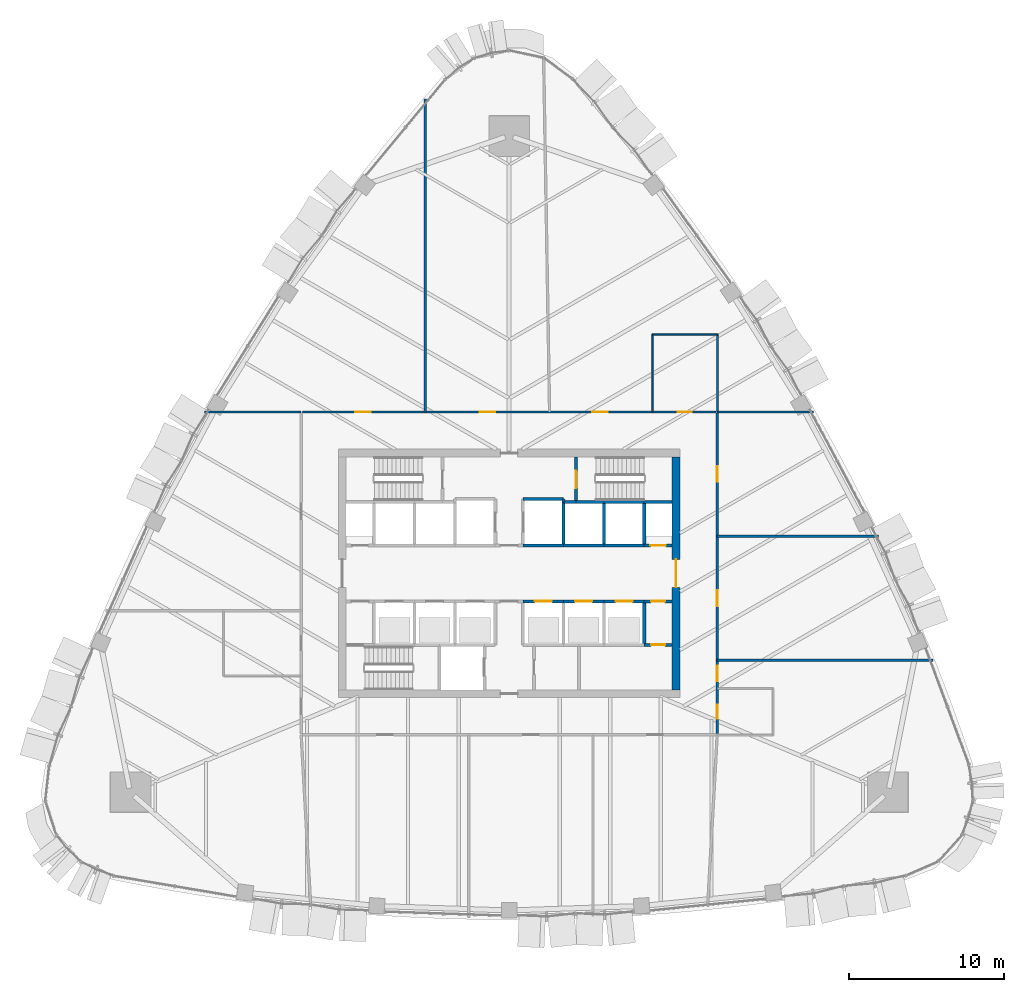
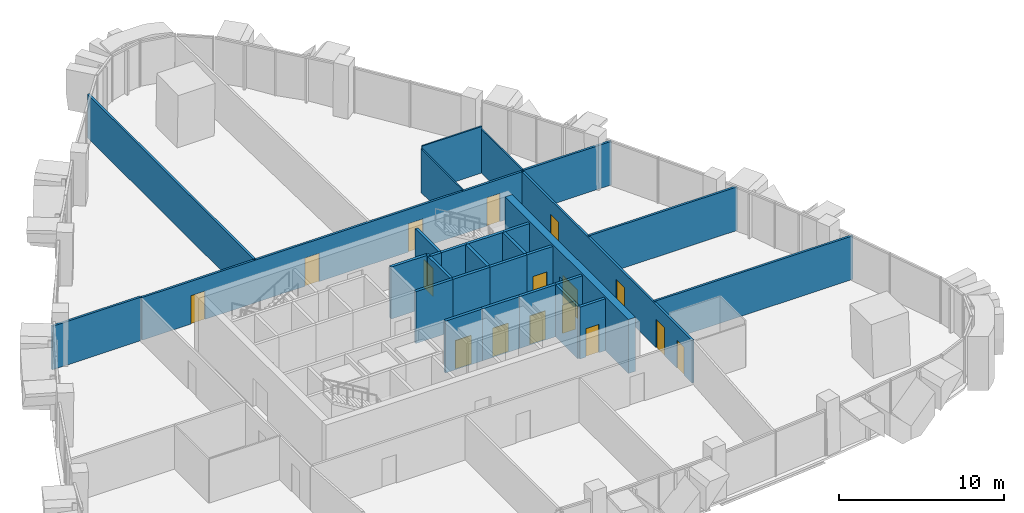
# One storey, part 12 of 17: 31 walls, 16 doors, 16 openings.
"""IFC4 building model written with IfcOpenShell, lengths in metres."""

from ifc_helpers import new_model, si_unit, direction, frame, frame_2d, origin, place, context, subcontext, project, spatial, rectangle, extrude, material, layer, layer_set, type_object, element, fill, save


model = new_model("IFC4")

# Units and contexts
model_context = context("Model", 3, precision=1e-05, world=origin(), true_north=direction((0.0, 1.0)))
body_context = subcontext(model_context, "Body", "Model", "MODEL_VIEW")
ifc_project = project(units=[si_unit("LENGTHUNIT", "METRE"), si_unit("AREAUNIT", "SQUARE_METRE"), si_unit("VOLUMEUNIT", "CUBIC_METRE"), si_unit("PLANEANGLEUNIT", "RADIAN"), si_unit("MASSUNIT", "GRAM", prefix="KILO")], contexts=[model_context])

# Site, building, storey
site_placement = place(None, origin())
site = spatial("IfcSite", under=ifc_project, at=site_placement, CompositionType="ELEMENT")
building_placement = place(site_placement, origin())
building = spatial("IfcBuilding", under=site, at=building_placement, Name="Sierra Prisma Convention Tower", CompositionType="ELEMENT")
storey_placement = place(building_placement, frame((0.0, 0.0, 149.800048828125)))
storey = spatial("IfcBuildingStorey", under=building, at=storey_placement, Name="L32", CompositionType="ELEMENT", Elevation=149.800048828125)

# Walls
ifc_material_1 = material(Name="Gypsum board partition", Category="gypsum")
ifc_layer_1 = layer(ifc_material_1, 0.10009765625)
ifc_layer_set_1 = layer_set([ifc_layer_1], Name="Bathroom partition 100")
wall_type_1 = type_object("IfcWallType", Name="Bathroom partition 100", PredefinedType="PARTITIONING", material=ifc_layer_set_1)
wall_1_placement = place(storey_placement, frame((9.219970703125, 10.429931640625, 0.0), z_axis=(0.0, 0.0, 1.0), x_axis=(0.0, 1.0, 0.0)))
element("IfcWall", 1, at=wall_1_placement, inside=storey, type_object=wall_type_1, Name="Partition L32 bath 3", PredefinedType="PARTITIONING", context=body_context, shape_type="SweptSolid", body=[
    extrude(rectangle(XDim=4.969970703125, YDim=0.10009765625, at=frame_2d((2.48486328125, 0.0))), origin(), (0.0, 0.0, 1.0), 3.2470703125),
])
wall_2_placement = place(storey_placement, frame((9.219970703125, 15.39990234375, 0.0), z_axis=(0.0, 0.0, 1.0), x_axis=(1.0, 0.0, 0.0)))
element("IfcWall", 2, at=wall_2_placement, inside=storey, type_object=wall_type_1, Name="Partition L32 bath 4", PredefinedType="PARTITIONING", context=body_context, shape_type="SweptSolid", body=[
    extrude(rectangle(XDim=4.199951171875, YDim=0.10009765625, at=frame_2d((2.10009765625, 0.0))), origin(), (0.0, 0.0, 1.0), 3.449951171875),
])
wall_3_placement = place(storey_placement, frame((13.419921875, 15.39990234375, 0.0), z_axis=(0.0, 0.0, 1.0), x_axis=(0.0, -1.0, 0.0)))
element("IfcWall", 3, at=wall_3_placement, inside=storey, type_object=wall_type_1, Name="Partition L32 bath 5", PredefinedType="PARTITIONING", context=body_context, shape_type="SweptSolid", body=[
    extrude(rectangle(XDim=4.969970703125, YDim=0.10009765625, at=frame_2d((2.48486328125, 0.0))), origin(), (0.0, 0.0, 1.0), 3.2470703125),
])

# Wall, opening, door
ifc_material_2 = material(Name="Concrete C30/37", Category="concrete")
ifc_layer_2 = layer(ifc_material_2, 0.199951171875)
ifc_layer_set_2 = layer_set([ifc_layer_2], Name="Core wall RC 200 C30/37")
wall_type_2 = type_object("IfcWallType", Name="Core wall RC 200 C30/37", PredefinedType="SOLIDWALL", material=ifc_layer_set_2)
wall_4_placement = place(storey_placement, frame((0.89990234375, -1.800048828125, 0.0), z_axis=(0.0, 0.0, 1.0), x_axis=(1.0, 0.0, 0.0)))
wall_4 = element("IfcWall", 4, at=wall_4_placement, inside=storey, type_object=wall_type_2, Name="Core wall L32 34", PredefinedType="SOLIDWALL", context=body_context, shape_type="SweptSolid", body=[
    extrude(rectangle(XDim=2.60009765625, YDim=0.199951171875, at=frame_2d((1.300048828125, 0.0))), origin(), (0.0, 0.0, 1.0), 3.849853515625),
])
opening_1_placement = place(wall_4_placement, frame((0.75, 0.0, 0.0)))
opening_1 = element("IfcOpeningElement", 5, at=opening_1_placement, cuts=wall_4, Name="Opening L32-D004", PredefinedType="OPENING", context=body_context, shape_type="SweptSolid", body=[
    extrude(rectangle(XDim=1.10009765625, YDim=2.10009765625, at=frame_2d((0.550048828125, 1.050048828125))), frame((0.0, 0.10009765625, 0.0), z_axis=(0.0, -1.0, 0.0), x_axis=(1.0, 0.0, 0.0)), (0.0, 0.0, 1.0), 0.199951171875),
])
ifc_material_3 = material(Name="Steel fire door leaf", Category="steel")
door_type_1 = type_object("IfcDoorType", Name="Door 1100x2100 EI 90 sliding lift landing", OperationType="SLIDING_TO_LEFT", PredefinedType="DOOR", material=ifc_material_3)
door_1_placement = place(opening_1_placement, origin())
door_1 = element("IfcDoor", 6, at=door_1_placement, inside=storey, type_object=door_type_1, Name="Door L32 18", OperationType="SLIDING_TO_LEFT", OverallHeight=2.10009765625, OverallWidth=1.10009765625, PredefinedType="DOOR", context=body_context, shape_type="SweptSolid", body=[
    extrude(rectangle(XDim=1.10009765625, YDim=2.10009765625, at=frame_2d((0.550048828125, 1.050048828125))), frame((0.0, 0.02490234375, 0.0), z_axis=(0.0, -1.0, 0.0), x_axis=(1.0, 0.0, 0.0)), (0.0, 0.0, 1.0), 0.050048828125),
])
fill(opening_1, door_1)

# Walls
wall_5_placement = place(storey_placement, frame((3.5, 1.800048828125, 0.0), z_axis=(0.0, 0.0, 1.0), x_axis=(-1.0, 0.0, 0.0)))
element("IfcWall", 7, at=wall_5_placement, inside=storey, type_object=wall_type_2, Name="Core wall L32 37", PredefinedType="SOLIDWALL", context=body_context, shape_type="SweptSolid", body=[
    extrude(rectangle(XDim=2.60009765625, YDim=0.199951171875, at=frame_2d((1.300048828125, 0.0))), origin(), (0.0, 0.0, 1.0), 3.849853515625),
])
wall_6_placement = place(storey_placement, frame((3.5, 4.60009765625, 0.0), z_axis=(0.0, 0.0, 1.0), x_axis=(0.0, 1.0, 0.0)))
element("IfcWall", 8, at=wall_6_placement, inside=storey, type_object=wall_type_2, Name="Core wall L32 38", PredefinedType="SOLIDWALL", context=body_context, shape_type="SweptSolid", body=[
    extrude(rectangle(XDim=0.199951171875, YDim=0.199951171875, at=frame_2d((0.10009765625, 0.0))), origin(), (0.0, 0.0, 1.0), 3.849853515625),
])
wall_7_placement = place(storey_placement, frame((3.5, 4.800048828125, 0.0), z_axis=(0.0, 0.0, 1.0), x_axis=(-1.0, 0.0, 0.0)))
element("IfcWall", 9, at=wall_7_placement, inside=storey, type_object=wall_type_2, Name="Core wall L32 39", PredefinedType="SOLIDWALL", context=body_context, shape_type="SweptSolid", body=[
    extrude(rectangle(XDim=2.60009765625, YDim=0.199951171875, at=frame_2d((1.300048828125, 0.0))), origin(), (0.0, 0.0, 1.0), 3.849853515625),
])

# Wall, opening, door
wall_8_placement = place(storey_placement, frame((3.5, -1.800048828125, 0.0), z_axis=(0.0, 0.0, 1.0), x_axis=(1.0, 0.0, 0.0)))
wall_8 = element("IfcWall", 10, at=wall_8_placement, inside=storey, type_object=wall_type_2, Name="Core wall L32 45", PredefinedType="SOLIDWALL", context=body_context, shape_type="SweptSolid", body=[
    extrude(rectangle(XDim=2.60009765625, YDim=0.199951171875, at=frame_2d((1.300048828125, 0.0))), origin(), (0.0, 0.0, 1.0), 3.849853515625),
])
opening_2_placement = place(wall_8_placement, frame((0.75, 0.0, 0.0)))
opening_2 = element("IfcOpeningElement", 11, at=opening_2_placement, cuts=wall_8, Name="Opening L32-D005", PredefinedType="OPENING", context=body_context, shape_type="SweptSolid", body=[
    extrude(rectangle(XDim=1.10009765625, YDim=2.10009765625, at=frame_2d((0.550048828125, 1.050048828125))), frame((0.0, 0.10009765625, 0.0), z_axis=(0.0, -1.0, 0.0), x_axis=(1.0, 0.0, 0.0)), (0.0, 0.0, 1.0), 0.199951171875),
])
door_2_placement = place(opening_2_placement, origin())
door_2 = element("IfcDoor", 12, at=door_2_placement, inside=storey, type_object=door_type_1, Name="Door L32 19", OperationType="SLIDING_TO_RIGHT", OverallHeight=2.10009765625, OverallWidth=1.10009765625, PredefinedType="DOOR", context=body_context, shape_type="SweptSolid", body=[
    extrude(rectangle(XDim=1.10009765625, YDim=2.10009765625, at=frame_2d((0.550048828125, 1.050048828125))), frame((0.0, 0.02490234375, 0.0), z_axis=(0.0, -1.0, 0.0), x_axis=(1.0, 0.0, 0.0)), (0.0, 0.0, 1.0), 0.050048828125),
])
fill(opening_2, door_2)

# Walls
wall_9_placement = place(storey_placement, frame((6.10009765625, 1.800048828125, 0.0), z_axis=(0.0, 0.0, 1.0), x_axis=(-1.0, 0.0, 0.0)))
element("IfcWall", 13, at=wall_9_placement, inside=storey, type_object=wall_type_2, Name="Core wall L32 46", PredefinedType="SOLIDWALL", context=body_context, shape_type="SweptSolid", body=[
    extrude(rectangle(XDim=2.60009765625, YDim=0.199951171875, at=frame_2d((1.300048828125, 0.0))), origin(), (0.0, 0.0, 1.0), 3.849853515625),
])
wall_10_placement = place(storey_placement, frame((3.5, 1.800048828125, 0.0), z_axis=(0.0, 0.0, 1.0), x_axis=(0.0, 1.0, 0.0)))
element("IfcWall", 14, at=wall_10_placement, inside=storey, type_object=wall_type_2, Name="Core wall L32 47", PredefinedType="SOLIDWALL", context=body_context, shape_type="SweptSolid", body=[
    extrude(rectangle(XDim=2.800048828125, YDim=0.199951171875, at=frame_2d((1.39990234375, 0.0))), origin(), (0.0, 0.0, 1.0), 3.849853515625),
])
wall_11_placement = place(storey_placement, frame((4.300048828125, 4.60009765625, 0.0), z_axis=(0.0, 0.0, 1.0), x_axis=(-1.0, 0.0, 0.0)))
element("IfcWall", 15, at=wall_11_placement, inside=storey, type_object=wall_type_2, Name="Core wall L32 48", PredefinedType="SOLIDWALL", context=body_context, shape_type="SweptSolid", body=[
    extrude(rectangle(XDim=0.800048828125, YDim=0.199951171875, at=frame_2d((0.39990234375, 0.0))), origin(), (0.0, 0.0, 1.0), 3.849853515625),
])
wall_12_placement = place(storey_placement, frame((6.10009765625, 4.60009765625, 0.0), z_axis=(0.0, 0.0, 1.0), x_axis=(-1.0, 0.0, 0.0)))
element("IfcWall", 16, at=wall_12_placement, inside=storey, type_object=wall_type_2, Name="Core wall L32 49", PredefinedType="SOLIDWALL", context=body_context, shape_type="SweptSolid", body=[
    extrude(rectangle(XDim=1.800048828125, YDim=0.199951171875, at=frame_2d((0.89990234375, 0.0))), origin(), (0.0, 0.0, 1.0), 3.849853515625),
])

# Wall, opening, door
wall_13_placement = place(storey_placement, frame((4.300048828125, 7.5, 0.0), z_axis=(0.0, 0.0, 1.0), x_axis=(0.0, -1.0, 0.0)))
wall_13 = element("IfcWall", 17, at=wall_13_placement, inside=storey, type_object=wall_type_2, Name="Core wall L32 50", PredefinedType="SOLIDWALL", context=body_context, shape_type="SweptSolid", body=[
    extrude(rectangle(XDim=2.89990234375, YDim=0.199951171875, at=frame_2d((1.449951171875, 0.0))), origin(), (0.0, 0.0, 1.0), 3.849853515625),
])
opening_3_placement = place(wall_13_placement, frame((0.89990234375, 0.0, 0.0)))
opening_3 = element("IfcOpeningElement", 18, at=opening_3_placement, cuts=wall_13, Name="Opening L32-D017", PredefinedType="OPENING", context=body_context, shape_type="SweptSolid", body=[
    extrude(rectangle(XDim=1.10009765625, YDim=2.10009765625, at=frame_2d((0.550048828125, 1.050048828125))), frame((0.0, 0.10009765625, 0.0), z_axis=(0.0, -1.0, 0.0), x_axis=(1.0, 0.0, 0.0)), (0.0, 0.0, 1.0), 0.199951171875),
])
ifc_material_4 = material(Name="Steel fire door leaf", Category="steel")
door_type_2 = type_object("IfcDoorType", Name="Door 1100x2100 FD90S", OperationType="SINGLE_SWING_LEFT", PredefinedType="DOOR", material=ifc_material_4)
door_3_placement = place(opening_3_placement, origin())
door_3 = element("IfcDoor", 19, at=door_3_placement, inside=storey, type_object=door_type_2, Name="Door L32 31", OperationType="SINGLE_SWING_RIGHT", OverallHeight=2.10009765625, OverallWidth=1.10009765625, PredefinedType="DOOR", context=body_context, shape_type="SweptSolid", body=[
    extrude(rectangle(XDim=1.10009765625, YDim=2.10009765625, at=frame_2d((0.550048828125, 1.050048828125))), frame((0.0, 0.02490234375, 0.0), z_axis=(0.0, -1.0, 0.0), x_axis=(1.0, 0.0, 0.0)), (0.0, 0.0, 1.0), 0.050048828125),
])
fill(opening_3, door_3)

wall_14_placement = place(storey_placement, frame((6.10009765625, -1.800048828125, 0.0), z_axis=(0.0, 0.0, 1.0), x_axis=(1.0, 0.0, 0.0)))
wall_14 = element("IfcWall", 20, at=wall_14_placement, inside=storey, type_object=wall_type_2, Name="Core wall L32 55", PredefinedType="SOLIDWALL", context=body_context, shape_type="SweptSolid", body=[
    extrude(rectangle(XDim=2.599853515625, YDim=0.199951171875, at=frame_2d((1.2998046875, 0.0))), origin(), (0.0, 0.0, 1.0), 3.849853515625),
])
opening_4_placement = place(wall_14_placement, frame((0.75, 0.0, 0.0)))
opening_4 = element("IfcOpeningElement", 21, at=opening_4_placement, cuts=wall_14, Name="Opening L32-D006", PredefinedType="OPENING", context=body_context, shape_type="SweptSolid", body=[
    extrude(rectangle(XDim=1.10009765625, YDim=2.10009765625, at=frame_2d((0.550048828125, 1.050048828125))), frame((0.0, 0.10009765625, 0.0), z_axis=(0.0, -1.0, 0.0), x_axis=(1.0, 0.0, 0.0)), (0.0, 0.0, 1.0), 0.199951171875),
])
door_4_placement = place(opening_4_placement, origin())
door_4 = element("IfcDoor", 22, at=door_4_placement, inside=storey, type_object=door_type_1, Name="Door L32 20", OperationType="SLIDING_TO_RIGHT", OverallHeight=2.10009765625, OverallWidth=1.10009765625, PredefinedType="DOOR", context=body_context, shape_type="SweptSolid", body=[
    extrude(rectangle(XDim=1.10009765625, YDim=2.10009765625, at=frame_2d((0.550048828125, 1.050048828125))), frame((0.0, 0.02490234375, 0.0), z_axis=(0.0, -1.0, 0.0), x_axis=(1.0, 0.0, 0.0)), (0.0, 0.0, 1.0), 0.050048828125),
])
fill(opening_4, door_4)

# Walls
wall_15_placement = place(storey_placement, frame((8.699951171875, 1.800048828125, 0.0), z_axis=(0.0, 0.0, 1.0), x_axis=(-1.0, 0.0, 0.0)))
element("IfcWall", 23, at=wall_15_placement, inside=storey, type_object=wall_type_2, Name="Core wall L32 56", PredefinedType="SOLIDWALL", context=body_context, shape_type="SweptSolid", body=[
    extrude(rectangle(XDim=2.599853515625, YDim=0.199951171875, at=frame_2d((1.2998046875, 0.0))), origin(), (0.0, 0.0, 1.0), 3.849853515625),
])
wall_16_placement = place(storey_placement, frame((6.10009765625, 1.800048828125, 0.0), z_axis=(0.0, 0.0, 1.0), x_axis=(0.0, 1.0, 0.0)))
element("IfcWall", 24, at=wall_16_placement, inside=storey, type_object=wall_type_2, Name="Core wall L32 57", PredefinedType="SOLIDWALL", context=body_context, shape_type="SweptSolid", body=[
    extrude(rectangle(XDim=2.800048828125, YDim=0.199951171875, at=frame_2d((1.39990234375, 0.0))), origin(), (0.0, 0.0, 1.0), 3.849853515625),
])
wall_17_placement = place(storey_placement, frame((8.699951171875, 4.60009765625, 0.0), z_axis=(0.0, 0.0, 1.0), x_axis=(-1.0, 0.0, 0.0)))
element("IfcWall", 25, at=wall_17_placement, inside=storey, type_object=wall_type_2, Name="Core wall L32 58", PredefinedType="SOLIDWALL", context=body_context, shape_type="SweptSolid", body=[
    extrude(rectangle(XDim=2.599853515625, YDim=0.199951171875, at=frame_2d((1.2998046875, 0.0))), origin(), (0.0, 0.0, 1.0), 3.849853515625),
])

# Wall, opening, door
wall_18_placement = place(storey_placement, frame((10.5, -4.60009765625, 0.0), z_axis=(0.0, 0.0, 1.0), x_axis=(-1.0, 0.0, 0.0)))
wall_18 = element("IfcWall", 26, at=wall_18_placement, inside=storey, type_object=wall_type_2, Name="Core wall L32 59", PredefinedType="SOLIDWALL", context=body_context, shape_type="SweptSolid", body=[
    extrude(rectangle(XDim=1.800048828125, YDim=0.199951171875, at=frame_2d((0.89990234375, 0.0))), origin(), (0.0, 0.0, 1.0), 3.849853515625),
])
opening_5_placement = place(wall_18_placement, frame((0.4599609375, 0.0, 0.0)))
opening_5 = element("IfcOpeningElement", 27, at=opening_5_placement, cuts=wall_18, Name="Opening L32-D018", PredefinedType="OPENING", context=body_context, shape_type="SweptSolid", body=[
    extrude(rectangle(XDim=0.89990234375, YDim=2.10009765625, at=frame_2d((0.449951171875, 1.050048828125))), frame((0.0, 0.10009765625, 0.0), z_axis=(0.0, -1.0, 0.0), x_axis=(1.0, 0.0, 0.0)), (0.0, 0.0, 1.0), 0.199951171875),
])
ifc_material_5 = material(Name="Steel fire door leaf", Category="steel")
door_type_3 = type_object("IfcDoorType", Name="Door 900x2100 FD30S", OperationType="SINGLE_SWING_LEFT", PredefinedType="DOOR", material=ifc_material_5)
door_5_placement = place(opening_5_placement, origin())
door_5 = element("IfcDoor", 28, at=door_5_placement, inside=storey, type_object=door_type_3, Name="Door L32 32", OperationType="SINGLE_SWING_LEFT", OverallHeight=2.10009765625, OverallWidth=0.89990234375, PredefinedType="DOOR", context=body_context, shape_type="SweptSolid", body=[
    extrude(rectangle(XDim=0.89990234375, YDim=2.10009765625, at=frame_2d((0.449951171875, 1.050048828125))), frame((0.0, 0.02490234375, 0.0), z_axis=(0.0, -1.0, 0.0), x_axis=(1.0, 0.0, 0.0)), (0.0, 0.0, 1.0), 0.050048828125),
])
fill(opening_5, door_5)

# Wall
wall_19_placement = place(storey_placement, frame((8.699951171875, -1.800048828125, 0.0), z_axis=(0.0, 0.0, 1.0), x_axis=(0.0, -1.0, 0.0)))
element("IfcWall", 29, at=wall_19_placement, inside=storey, type_object=wall_type_2, Name="Core wall L32 60", PredefinedType="SOLIDWALL", context=body_context, shape_type="SweptSolid", body=[
    extrude(rectangle(XDim=2.800048828125, YDim=0.199951171875, at=frame_2d((1.39990234375, 0.0))), origin(), (0.0, 0.0, 1.0), 3.849853515625),
])

# Wall, opening, door
wall_20_placement = place(storey_placement, frame((8.699951171875, -1.800048828125, 0.0), z_axis=(0.0, 0.0, 1.0), x_axis=(1.0, 0.0, 0.0)))
wall_20 = element("IfcWall", 30, at=wall_20_placement, inside=storey, type_object=wall_type_2, Name="Core wall L32 61", PredefinedType="SOLIDWALL", context=body_context, shape_type="SweptSolid", body=[
    extrude(rectangle(XDim=1.800048828125, YDim=0.199951171875, at=frame_2d((0.89990234375, 0.0))), origin(), (0.0, 0.0, 1.0), 3.849853515625),
])
opening_6_placement = place(wall_20_placement, frame((0.449951171875, 0.0, 0.0)))
opening_6 = element("IfcOpeningElement", 31, at=opening_6_placement, cuts=wall_20, Name="Opening L32-D019", PredefinedType="OPENING", context=body_context, shape_type="SweptSolid", body=[
    extrude(rectangle(XDim=0.89990234375, YDim=2.10009765625, at=frame_2d((0.449951171875, 1.050048828125))), frame((0.0, 0.10009765625, 0.0), z_axis=(0.0, -1.0, 0.0), x_axis=(1.0, 0.0, 0.0)), (0.0, 0.0, 1.0), 0.199951171875),
])
door_6_placement = place(opening_6_placement, origin())
door_6 = element("IfcDoor", 32, at=door_6_placement, inside=storey, type_object=door_type_3, Name="Door L32 33", OperationType="SINGLE_SWING_LEFT", OverallHeight=2.10009765625, OverallWidth=0.89990234375, PredefinedType="DOOR", context=body_context, shape_type="SweptSolid", body=[
    extrude(rectangle(XDim=0.89990234375, YDim=2.10009765625, at=frame_2d((0.449951171875, 1.050048828125))), frame((0.0, 0.02490234375, 0.0), z_axis=(0.0, -1.0, 0.0), x_axis=(1.0, 0.0, 0.0)), (0.0, 0.0, 1.0), 0.050048828125),
])
fill(opening_6, door_6)

wall_21_placement = place(storey_placement, frame((10.5, 1.800048828125, 0.0), z_axis=(0.0, 0.0, 1.0), x_axis=(-1.0, 0.0, 0.0)))
wall_21 = element("IfcWall", 33, at=wall_21_placement, inside=storey, type_object=wall_type_2, Name="Core wall L32 62", PredefinedType="SOLIDWALL", context=body_context, shape_type="SweptSolid", body=[
    extrude(rectangle(XDim=1.800048828125, YDim=0.199951171875, at=frame_2d((0.89990234375, 0.0))), origin(), (0.0, 0.0, 1.0), 3.849853515625),
])
opening_7_placement = place(wall_21_placement, frame((0.39990234375, 0.0, 0.0)))
opening_7 = element("IfcOpeningElement", 34, at=opening_7_placement, cuts=wall_21, Name="Opening L32-D014", PredefinedType="OPENING", context=body_context, shape_type="SweptSolid", body=[
    extrude(rectangle(XDim=1.0, YDim=2.10009765625, at=frame_2d((0.5, 1.050048828125))), frame((0.0, 0.10009765625, 0.0), z_axis=(0.0, -1.0, 0.0), x_axis=(1.0, 0.0, 0.0)), (0.0, 0.0, 1.0), 0.199951171875),
])
ifc_material_6 = material(Name="Steel fire door leaf", Category="steel")
door_type_4 = type_object("IfcDoorType", Name="Door 1000x2100 FD60S", OperationType="SINGLE_SWING_LEFT", PredefinedType="DOOR", material=ifc_material_6)
door_7_placement = place(opening_7_placement, origin())
door_7 = element("IfcDoor", 35, at=door_7_placement, inside=storey, type_object=door_type_4, Name="Door L32 28", OperationType="SINGLE_SWING_LEFT", OverallHeight=2.10009765625, OverallWidth=1.0, PredefinedType="DOOR", context=body_context, shape_type="SweptSolid", body=[
    extrude(rectangle(XDim=1.0, YDim=2.10009765625, at=frame_2d((0.5, 1.050048828125))), frame((0.0, 0.02490234375, 0.0), z_axis=(0.0, -1.0, 0.0), x_axis=(1.0, 0.0, 0.0)), (0.0, 0.0, 1.0), 0.050048828125),
])
fill(opening_7, door_7)

# Walls
wall_22_placement = place(storey_placement, frame((8.699951171875, 4.60009765625, 0.0), z_axis=(0.0, 0.0, 1.0), x_axis=(0.0, -1.0, 0.0)))
element("IfcWall", 36, at=wall_22_placement, inside=storey, type_object=wall_type_2, Name="Core wall L32 63", PredefinedType="SOLIDWALL", context=body_context, shape_type="SweptSolid", body=[
    extrude(rectangle(XDim=2.800048828125, YDim=0.199951171875, at=frame_2d((1.39990234375, 0.0))), origin(), (0.0, 0.0, 1.0), 3.849853515625),
])
wall_23_placement = place(storey_placement, frame((10.5, 4.60009765625, 0.0), z_axis=(0.0, 0.0, 1.0), x_axis=(-1.0, 0.0, 0.0)))
element("IfcWall", 37, at=wall_23_placement, inside=storey, type_object=wall_type_2, Name="Core wall L32 64", PredefinedType="SOLIDWALL", context=body_context, shape_type="SweptSolid", body=[
    extrude(rectangle(XDim=1.800048828125, YDim=0.199951171875, at=frame_2d((0.89990234375, 0.0))), origin(), (0.0, 0.0, 1.0), 3.849853515625),
])

# Wall, opening, door
ifc_material_7 = material(Name="Concrete C60/75", Category="concrete")
ifc_layer_3 = layer(ifc_material_7, 0.5)
ifc_layer_set_3 = layer_set([ifc_layer_3], Name="Core wall RC 500 C60/75")
wall_type_3 = type_object("IfcWallType", Name="Core wall RC 500 C60/75", PredefinedType="SHEAR", material=ifc_layer_set_3)
wall_24_placement = place(storey_placement, frame((10.75, -7.5, 0.0), z_axis=(0.0, 0.0, 1.0), x_axis=(0.0, 1.0, 0.0)))
wall_24 = element("IfcWall", 38, at=wall_24_placement, inside=storey, type_object=wall_type_3, Name="Core wall E L32", PredefinedType="SHEAR", context=body_context, shape_type="SweptSolid", body=[
    extrude(rectangle(XDim=15.0, YDim=0.5, at=frame_2d((7.5, 0.0))), origin(), (0.0, 0.0, 1.0), 4.0),
])
opening_8_placement = place(wall_24_placement, frame((6.60009765625, 0.0, 0.0)))
opening_8 = element("IfcOpeningElement", 39, at=opening_8_placement, cuts=wall_24, Name="Opening L32-D035", PredefinedType="OPENING", context=body_context, shape_type="SweptSolid", body=[
    extrude(rectangle(XDim=1.800048828125, YDim=2.10009765625, at=frame_2d((0.89990234375, 1.050048828125))), frame((0.0, 0.25, 0.0), z_axis=(0.0, -1.0, 0.0), x_axis=(1.0, 0.0, 0.0)), (0.0, 0.0, 1.0), 0.5),
])
ifc_material_8 = material(Name="Steel fire door leaf", Category="steel")
door_type_5 = type_object("IfcDoorType", Name="Door 1800x2100 FD60S", OperationType="DOUBLE_DOOR_SINGLE_SWING", PredefinedType="DOOR", material=ifc_material_8)
door_8_placement = place(opening_8_placement, origin())
door_8 = element("IfcDoor", 40, at=door_8_placement, inside=storey, type_object=door_type_5, Name="Door L32 36", OperationType="DOUBLE_DOOR_SINGLE_SWING", OverallHeight=2.10009765625, OverallWidth=1.800048828125, PredefinedType="DOOR", context=body_context, shape_type="SweptSolid", body=[
    extrude(rectangle(XDim=1.800048828125, YDim=2.10009765625, at=frame_2d((0.89990234375, 1.050048828125))), frame((0.0, 0.02490234375, 0.0), z_axis=(0.0, -1.0, 0.0), x_axis=(1.0, 0.0, 0.0)), (0.0, 0.0, 1.0), 0.050048828125),
])
fill(opening_8, door_8)

# Wall, openings, doors
ifc_material_9 = material(Name="Gypsum board partition", Category="gypsum")
ifc_layer_4 = layer(ifc_material_9, 0.14990234375)
ifc_layer_set_4 = layer_set([ifc_layer_4], Name="Corridor wall 150 gypsum EI 60")
wall_type_4 = type_object("IfcWallType", Name="Corridor wall 150 gypsum EI 60", PredefinedType="PARTITIONING", material=ifc_layer_set_4)
wall_25_placement = place(storey_placement, frame((13.320068359375, 10.39990234375, 0.0), z_axis=(0.0, 0.0, 1.0), x_axis=(-1.0, 0.0, 0.0)))
wall_25 = element("IfcWall", 41, at=wall_25_placement, inside=storey, type_object=wall_type_4, Name="Partition L32 corr 3", PredefinedType="PARTITIONING", context=body_context, shape_type="SweptSolid", body=[
    extrude(rectangle(XDim=26.64013671875, YDim=0.14990234375, at=frame_2d((13.320068359375, 0.0))), origin(), (0.0, 0.0, 1.0), 3.166015625),
])
opening_9_placement = place(wall_25_placement, frame((1.550048828125, 0.0, 0.0)))
opening_9 = element("IfcOpeningElement", 42, at=opening_9_placement, cuts=wall_25, Name="Opening L32-D022", PredefinedType="OPENING", context=body_context, shape_type="SweptSolid", body=[
    extrude(rectangle(XDim=0.89990234375, YDim=2.10009765625, at=frame_2d((0.449951171875, 1.050048828125))), frame((0.0, 0.074951171875, 0.0), z_axis=(0.0, -1.0, 0.0), x_axis=(1.0, 0.0, 0.0)), (0.0, 0.0, 1.0), 0.14990234375),
])
opening_10_placement = place(wall_25_placement, frame((6.9599609375, 0.0, 0.0)))
opening_10 = element("IfcOpeningElement", 43, at=opening_10_placement, cuts=wall_25, Name="Opening L32-D023", PredefinedType="OPENING", context=body_context, shape_type="SweptSolid", body=[
    extrude(rectangle(XDim=1.0, YDim=2.10009765625, at=frame_2d((0.5, 1.050048828125))), frame((0.0, 0.074951171875, 0.0), z_axis=(0.0, -1.0, 0.0), x_axis=(1.0, 0.0, 0.0)), (0.0, 0.0, 1.0), 0.14990234375),
])
opening_11_placement = place(wall_25_placement, frame((14.219970703125, 0.0, 0.0)))
opening_11 = element("IfcOpeningElement", 44, at=opening_11_placement, cuts=wall_25, Name="Opening L32-D024", PredefinedType="OPENING", context=body_context, shape_type="SweptSolid", body=[
    extrude(rectangle(XDim=1.0, YDim=2.10009765625, at=frame_2d((0.5, 1.050048828125))), frame((0.0, 0.074951171875, 0.0), z_axis=(0.0, -1.0, 0.0), x_axis=(1.0, 0.0, 0.0)), (0.0, 0.0, 1.0), 0.14990234375),
])
opening_12_placement = place(wall_25_placement, frame((22.22998046875, 0.0, 0.0)))
opening_12 = element("IfcOpeningElement", 45, at=opening_12_placement, cuts=wall_25, Name="Opening L32-D025", PredefinedType="OPENING", context=body_context, shape_type="SweptSolid", body=[
    extrude(rectangle(XDim=1.0, YDim=2.10009765625, at=frame_2d((0.5, 1.050048828125))), frame((0.0, 0.074951171875, 0.0), z_axis=(0.0, -1.0, 0.0), x_axis=(1.0, 0.0, 0.0)), (0.0, 0.0, 1.0), 0.14990234375),
])
ifc_material_10 = material(Name="Steel fire door leaf", Category="steel")
door_type_6 = type_object("IfcDoorType", Name="Door 1000x2100 FD30S", OperationType="SINGLE_SWING_LEFT", PredefinedType="DOOR", material=ifc_material_10)
door_9_placement = place(opening_10_placement, origin())
door_9 = element("IfcDoor", 46, at=door_9_placement, inside=storey, type_object=door_type_6, Name="Door L32 3", OperationType="SINGLE_SWING_RIGHT", OverallHeight=2.10009765625, OverallWidth=1.0, PredefinedType="DOOR", context=body_context, shape_type="SweptSolid", body=[
    extrude(rectangle(XDim=1.0, YDim=2.10009765625, at=frame_2d((0.5, 1.050048828125))), frame((0.0, 0.02490234375, 0.0), z_axis=(0.0, -1.0, 0.0), x_axis=(1.0, 0.0, 0.0)), (0.0, 0.0, 1.0), 0.050048828125),
])
fill(opening_10, door_9)
door_10_placement = place(opening_11_placement, origin())
door_10 = element("IfcDoor", 47, at=door_10_placement, inside=storey, type_object=door_type_6, Name="Door L32 4", OperationType="SINGLE_SWING_LEFT", OverallHeight=2.10009765625, OverallWidth=1.0, PredefinedType="DOOR", context=body_context, shape_type="SweptSolid", body=[
    extrude(rectangle(XDim=1.0, YDim=2.10009765625, at=frame_2d((0.5, 1.050048828125))), frame((0.0, 0.02490234375, 0.0), z_axis=(0.0, -1.0, 0.0), x_axis=(1.0, 0.0, 0.0)), (0.0, 0.0, 1.0), 0.050048828125),
])
fill(opening_11, door_10)
door_11_placement = place(opening_12_placement, origin())
door_11 = element("IfcDoor", 48, at=door_11_placement, inside=storey, type_object=door_type_6, Name="Door L32 5", OperationType="SINGLE_SWING_RIGHT", OverallHeight=2.10009765625, OverallWidth=1.0, PredefinedType="DOOR", context=body_context, shape_type="SweptSolid", body=[
    extrude(rectangle(XDim=1.0, YDim=2.10009765625, at=frame_2d((0.5, 1.050048828125))), frame((0.0, 0.02490234375, 0.0), z_axis=(0.0, -1.0, 0.0), x_axis=(1.0, 0.0, 0.0)), (0.0, 0.0, 1.0), 0.050048828125),
])
fill(opening_12, door_11)
door_12_placement = place(opening_9_placement, origin())
door_12 = element("IfcDoor", 49, at=door_12_placement, inside=storey, type_object=door_type_3, Name="Door L32 2", OperationType="SINGLE_SWING_RIGHT", OverallHeight=2.10009765625, OverallWidth=0.89990234375, PredefinedType="DOOR", context=body_context, shape_type="SweptSolid", body=[
    extrude(rectangle(XDim=0.89990234375, YDim=2.10009765625, at=frame_2d((0.449951171875, 1.050048828125))), frame((0.0, 0.02490234375, 0.0), z_axis=(0.0, -1.0, 0.0), x_axis=(1.0, 0.0, 0.0)), (0.0, 0.0, 1.0), 0.050048828125),
])
fill(opening_9, door_12)

wall_26_placement = place(storey_placement, frame((13.39990234375, -10.320068359375, 0.0), z_axis=(0.0, 0.0, 1.0), x_axis=(0.0, 1.0, 0.0)))
wall_26 = element("IfcWall", 50, at=wall_26_placement, inside=storey, type_object=wall_type_4, Name="Partition L32 corr 4", PredefinedType="PARTITIONING", context=body_context, shape_type="SweptSolid", body=[
    extrude(rectangle(XDim=20.64013671875, YDim=0.14990234375, at=frame_2d((10.320068359375, 0.0))), origin(), (0.0, 0.0, 1.0), 3.166015625),
])
opening_13_placement = place(wall_26_placement, frame((16.219970703125, 0.0, 0.0)))
opening_13 = element("IfcOpeningElement", 51, at=opening_13_placement, cuts=wall_26, Name="Opening L32-D021", PredefinedType="OPENING", context=body_context, shape_type="SweptSolid", body=[
    extrude(rectangle(XDim=1.0, YDim=2.10009765625, at=frame_2d((0.5, 1.050048828125))), frame((0.0, 0.074951171875, 0.0), z_axis=(0.0, -1.0, 0.0), x_axis=(1.0, 0.0, 0.0)), (0.0, 0.0, 1.0), 0.14990234375),
])
opening_14_placement = place(wall_26_placement, frame((0.949951171875, 0.0, 0.0)))
opening_14 = element("IfcOpeningElement", 52, at=opening_14_placement, cuts=wall_26, Name="Opening L32-D032", PredefinedType="OPENING", context=body_context, shape_type="SweptSolid", body=[
    extrude(rectangle(XDim=0.89990234375, YDim=2.10009765625, at=frame_2d((0.449951171875, 1.050048828125))), frame((0.0, 0.074951171875, 0.0), z_axis=(0.0, -1.0, 0.0), x_axis=(1.0, 0.0, 0.0)), (0.0, 0.0, 1.0), 0.14990234375),
])
opening_15_placement = place(wall_26_placement, frame((3.360107421875, 0.0, 0.0)))
opening_15 = element("IfcOpeningElement", 53, at=opening_15_placement, cuts=wall_26, Name="Opening L32-D033", PredefinedType="OPENING", context=body_context, shape_type="SweptSolid", body=[
    extrude(rectangle(XDim=1.0, YDim=2.10009765625, at=frame_2d((0.5, 1.050048828125))), frame((0.0, 0.074951171875, 0.0), z_axis=(0.0, -1.0, 0.0), x_axis=(1.0, 0.0, 0.0)), (0.0, 0.0, 1.0), 0.14990234375),
])
opening_16_placement = place(wall_26_placement, frame((8.219970703125, 0.0, 0.0)))
opening_16 = element("IfcOpeningElement", 54, at=opening_16_placement, cuts=wall_26, Name="Opening L32-D034", PredefinedType="OPENING", context=body_context, shape_type="SweptSolid", body=[
    extrude(rectangle(XDim=1.0, YDim=2.10009765625, at=frame_2d((0.5, 1.050048828125))), frame((0.0, 0.074951171875, 0.0), z_axis=(0.0, -1.0, 0.0), x_axis=(1.0, 0.0, 0.0)), (0.0, 0.0, 1.0), 0.14990234375),
])
door_13_placement = place(opening_13_placement, origin())
door_13 = element("IfcDoor", 55, at=door_13_placement, inside=storey, type_object=door_type_6, Name="Door L32 1", OperationType="SINGLE_SWING_LEFT", OverallHeight=2.10009765625, OverallWidth=1.0, PredefinedType="DOOR", context=body_context, shape_type="SweptSolid", body=[
    extrude(rectangle(XDim=1.0, YDim=2.10009765625, at=frame_2d((0.5, 1.050048828125))), frame((0.0, 0.02490234375, 0.0), z_axis=(0.0, -1.0, 0.0), x_axis=(1.0, 0.0, 0.0)), (0.0, 0.0, 1.0), 0.050048828125),
])
fill(opening_13, door_13)
door_14_placement = place(opening_15_placement, origin())
door_14 = element("IfcDoor", 56, at=door_14_placement, inside=storey, type_object=door_type_6, Name="Door L32 13", OperationType="SINGLE_SWING_RIGHT", OverallHeight=2.10009765625, OverallWidth=1.0, PredefinedType="DOOR", context=body_context, shape_type="SweptSolid", body=[
    extrude(rectangle(XDim=1.0, YDim=2.10009765625, at=frame_2d((0.5, 1.050048828125))), frame((0.0, 0.02490234375, 0.0), z_axis=(0.0, -1.0, 0.0), x_axis=(1.0, 0.0, 0.0)), (0.0, 0.0, 1.0), 0.050048828125),
])
fill(opening_15, door_14)
door_15_placement = place(opening_16_placement, origin())
door_15 = element("IfcDoor", 57, at=door_15_placement, inside=storey, type_object=door_type_6, Name="Door L32 14", OperationType="SINGLE_SWING_LEFT", OverallHeight=2.10009765625, OverallWidth=1.0, PredefinedType="DOOR", context=body_context, shape_type="SweptSolid", body=[
    extrude(rectangle(XDim=1.0, YDim=2.10009765625, at=frame_2d((0.5, 1.050048828125))), frame((0.0, 0.02490234375, 0.0), z_axis=(0.0, -1.0, 0.0), x_axis=(1.0, 0.0, 0.0)), (0.0, 0.0, 1.0), 0.050048828125),
])
fill(opening_16, door_15)
door_16_placement = place(opening_14_placement, origin())
door_16 = element("IfcDoor", 58, at=door_16_placement, inside=storey, type_object=door_type_3, Name="Door L32 12", OperationType="SINGLE_SWING_RIGHT", OverallHeight=2.10009765625, OverallWidth=0.89990234375, PredefinedType="DOOR", context=body_context, shape_type="SweptSolid", body=[
    extrude(rectangle(XDim=0.89990234375, YDim=2.10009765625, at=frame_2d((0.449951171875, 1.050048828125))), frame((0.0, 0.02490234375, 0.0), z_axis=(0.0, -1.0, 0.0), x_axis=(1.0, 0.0, 0.0)), (0.0, 0.0, 1.0), 0.050048828125),
])
fill(opening_14, door_16)

# Walls
ifc_material_11 = material(Name="Gypsum board partition", Category="gypsum")
ifc_layer_5 = layer(ifc_material_11, 0.14990234375)
ifc_layer_set_5 = layer_set([ifc_layer_5], Name="Party wall 150 gypsum")
wall_type_5 = type_object("IfcWallType", Name="Party wall 150 gypsum", PredefinedType="PARTITIONING", material=ifc_layer_set_5)
wall_27_placement = place(storey_placement, frame((-13.39990234375, 10.39990234375, 0.0), z_axis=(0.0, 0.0, 1.0), x_axis=(-1.0, 0.0, 0.0)))
element("IfcWall", 59, at=wall_27_placement, inside=storey, type_object=wall_type_5, Name="Partition L32 party 2", PredefinedType="PARTITIONING", context=body_context, shape_type="SweptSolid", body=[
    extrude(rectangle(XDim=6.212890625, YDim=0.14990234375, at=frame_2d((3.1064453125, 0.0))), origin(), (0.0, 0.0, 1.0), 3.23388671875),
])
wall_28_placement = place(storey_placement, frame((-5.39990234375, 10.39990234375, 0.0), z_axis=(0.0, 0.0, 1.0), x_axis=(0.0, 1.0, 0.0)))
element("IfcWall", 60, at=wall_28_placement, inside=storey, type_object=wall_type_5, Name="Partition L32 party 4", PredefinedType="PARTITIONING", context=body_context, shape_type="SweptSolid", body=[
    extrude(rectangle(XDim=20.162109375, YDim=0.14990234375, at=frame_2d((10.0810546875, 0.0))), origin(), (0.0, 0.0, 1.0), 3.23388671875),
])
wall_29_placement = place(storey_placement, frame((13.39990234375, -5.60009765625, 0.0), z_axis=(0.0, 0.0, 1.0), x_axis=(1.0, 0.0, 0.0)))
element("IfcWall", 61, at=wall_29_placement, inside=storey, type_object=wall_type_5, Name="Partition L32 party 9", PredefinedType="PARTITIONING", context=body_context, shape_type="SweptSolid", body=[
    extrude(rectangle(XDim=13.897216796875, YDim=0.14990234375, at=frame_2d((6.94873046875, 0.0))), origin(), (0.0, 0.0, 1.0), 3.23388671875),
])
wall_30_placement = place(storey_placement, frame((23.80126953125, 2.39990234375, 0.0), z_axis=(0.0, 0.0, 1.0), x_axis=(-1.0, 0.0, 0.0)))
element("IfcWall", 62, at=wall_30_placement, inside=storey, type_object=wall_type_5, Name="Partition L32 party 10", PredefinedType="PARTITIONING", context=body_context, shape_type="SweptSolid", body=[
    extrude(rectangle(XDim=10.4013671875, YDim=0.14990234375, at=frame_2d((5.20068359375, 0.0))), origin(), (0.0, 0.0, 1.0), 3.23388671875),
])
wall_31_placement = place(storey_placement, frame((13.39990234375, 10.39990234375, 0.0), z_axis=(0.0, 0.0, 1.0), x_axis=(1.0, 0.0, 0.0)))
element("IfcWall", 63, at=wall_31_placement, inside=storey, type_object=wall_type_5, Name="Partition L32 party 11", PredefinedType="PARTITIONING", context=body_context, shape_type="SweptSolid", body=[
    extrude(rectangle(XDim=6.212890625, YDim=0.14990234375, at=frame_2d((3.1064453125, 0.0))), origin(), (0.0, 0.0, 1.0), 3.23388671875),
])

save(model, "model.ifc")
